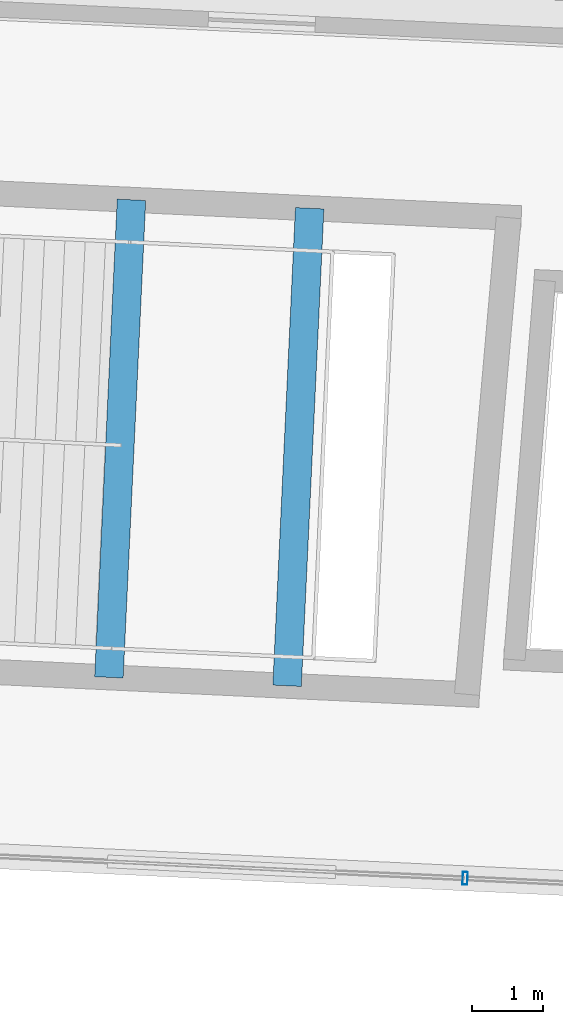
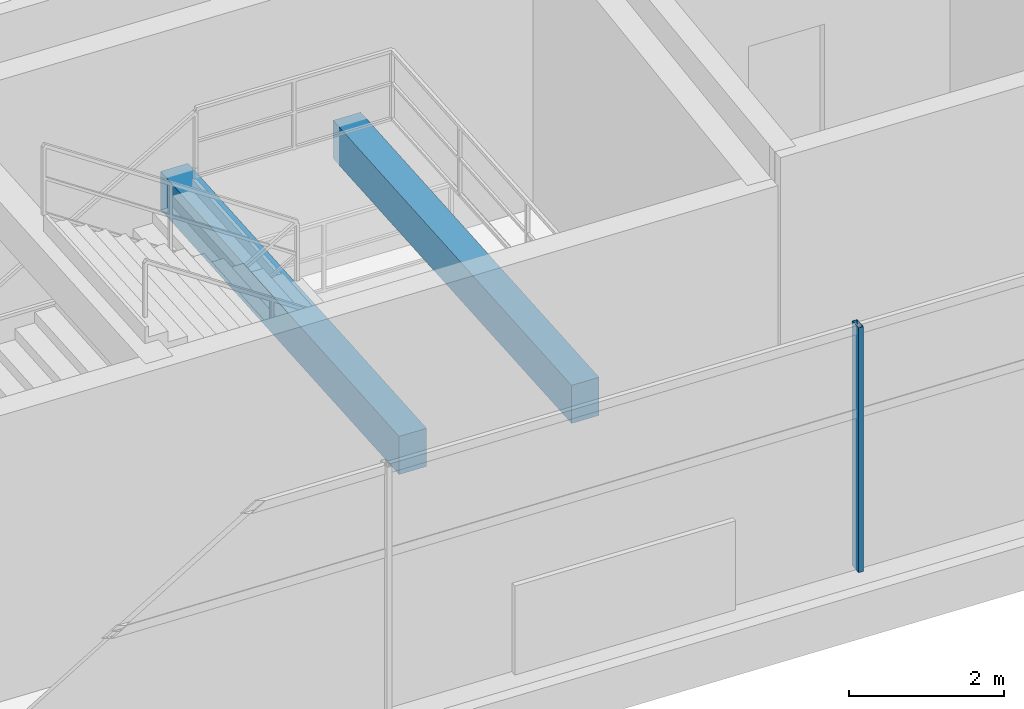
# One storey, part 19 of 156: 2 beams, 1 member, 1 element without a shape of its own.
"""IFC4 building model written with IfcOpenShell, lengths in metres."""

from ifc_helpers import new_model, si_unit, direction, frame, origin, origin_2d, place, context, subcontext, project, spatial, rectangle, hollow_rectangle, extrude, material, layer, layer_set, material_profile, profile_set, type_object, element, aggregate, save


model = new_model("IFC4")

# Units and contexts
model_context = context("Model", 3, precision=1e-05, world=origin(), true_north=direction((0.0, 1.0)))
body_context = subcontext(model_context, "Body", "Model", "MODEL_VIEW")
ifc_project = project(units=[si_unit("LENGTHUNIT", "METRE"), si_unit("AREAUNIT", "SQUARE_METRE"), si_unit("VOLUMEUNIT", "CUBIC_METRE"), si_unit("PLANEANGLEUNIT", "RADIAN"), si_unit("MASSUNIT", "GRAM", prefix="KILO")], contexts=[model_context])

# Site, building, storey
site_placement = place(None, origin())
site = spatial("IfcSite", under=ifc_project, at=site_placement, CompositionType="ELEMENT")
building_placement = place(site_placement, origin())
building = spatial("IfcBuilding", under=site, at=building_placement, Name="Kazemori Nagisa Stadium", CompositionType="ELEMENT")
storey_placement = place(building_placement, frame((0.0, 0.0, 5.780029296875)))
storey = spatial("IfcBuildingStorey", under=building, at=storey_placement, Name="L01", CompositionType="ELEMENT", Elevation=5.780029296875)

# Beams
ifc_material_1 = material(Name="Concrete C40/50 (Fc42)", Category="concrete")
ifc_material_profile_1 = material_profile(ifc_material_1, rectangle(XDim=0.39990234375, YDim=0.60009765625, at=origin_2d()), Name="RC-BM-400x600")
ifc_profile_set_1 = profile_set([ifc_material_profile_1], Name="Concrete C40/50 (Fc42)")
beam_type = type_object("IfcBeamType", Name="Beam_BG-LND400X600", PredefinedType="BEAM", material=ifc_profile_set_1)
beam_1_placement = place(storey_placement, frame((111.023681640625, 25.854248046875, 1.8798828125), z_axis=(-0.047220656191, -0.998884482625, 0.0), x_axis=(0.998884482625, -0.047220656191, 0.0)))
element("IfcBeam", 1, at=beam_1_placement, inside=storey, type_object=beam_type, Name="Core stair mid-landing girder ST12-L01-1", PredefinedType="BEAM", context=body_context, shape_type="SweptSolid", body=[
    extrude(rectangle(XDim=0.39990234375, YDim=0.60009765625, at=origin_2d()), origin(), (0.0, 0.0, 1.0), 6.70068359375),
])
beam_2_placement = place(storey_placement, frame((113.52099609375, 25.736083984375, 1.8798828125), z_axis=(-0.047258730523, -0.998882681995, 0.0), x_axis=(0.998882681995, -0.047258730523, 0.0)))
element("IfcBeam", 2, at=beam_2_placement, inside=storey, type_object=beam_type, Name="Core stair mid-landing girder ST12-L01-2", PredefinedType="BEAM", context=body_context, shape_type="SweptSolid", body=[
    extrude(rectangle(XDim=0.39990234375, YDim=0.60009765625, at=origin_2d()), origin(), (0.0, 0.0, 1.0), 6.700439453125),
])

# Curtain wall, member
ifc_material_2 = material(Name="Anodised aluminium 6063-T5", Category="aluminium")
ifc_layer = layer(ifc_material_2, 0.179931640625, Name="Anodised aluminium 6063-T5", Category="aluminium")
ifc_layer_set = layer_set([ifc_layer], Name="Anodised aluminium 6063-T5")
curtain_wall_type = type_object("IfcCurtainWallType", Name="CW_L01R3_103", PredefinedType="USERDEFINED", material=ifc_layer_set)
curtain_wall_placement = place(storey_placement, origin())
curtain_wall = element("IfcCurtainWall", 3, at=curtain_wall_placement, inside=storey, type_object=curtain_wall_type, Name="Unitised curtain wall CW-L01R3-103 L01", ObjectType="UNITISED CURTAIN WALL", PredefinedType="USERDEFINED")
ifc_material_3 = material(Name="Aluminium 6063-T5 anodised", Category="aluminium")
ifc_material_profile_2 = material_profile(ifc_material_3, hollow_rectangle(XDim=0.070068359375, YDim=0.179931640625, WallThickness=0.00390625, at=origin_2d()), Name="ALU-MULL-70x180x4")
ifc_profile_set_2 = profile_set([ifc_material_profile_2], Name="Aluminium 6063-T5 anodised")
member_type = type_object("IfcMemberType", Name="Mullion_M01", PredefinedType="MULLION", material=ifc_profile_set_2)
member_placement = place(storey_placement, frame((115.69921875, 16.34521484375, 0.0), z_axis=(0.0, 0.0, 1.0), x_axis=(0.998884022476, -0.047230388971, 0.0)))
member = element("IfcMember", 4, at=member_placement, type_object=member_type, Name="Curtain wall mullion CW-L01R3-103-M3", PredefinedType="MULLION", context=body_context, shape_type="SweptSolid", body=[
    extrude(hollow_rectangle(XDim=0.070068359375, YDim=0.179931640625, WallThickness=0.00390625, at=origin_2d()), origin(), (0.0, 0.0, 1.0), 3.849853515625),
])
aggregate(curtain_wall, [member])

save(model, "model.ifc")
